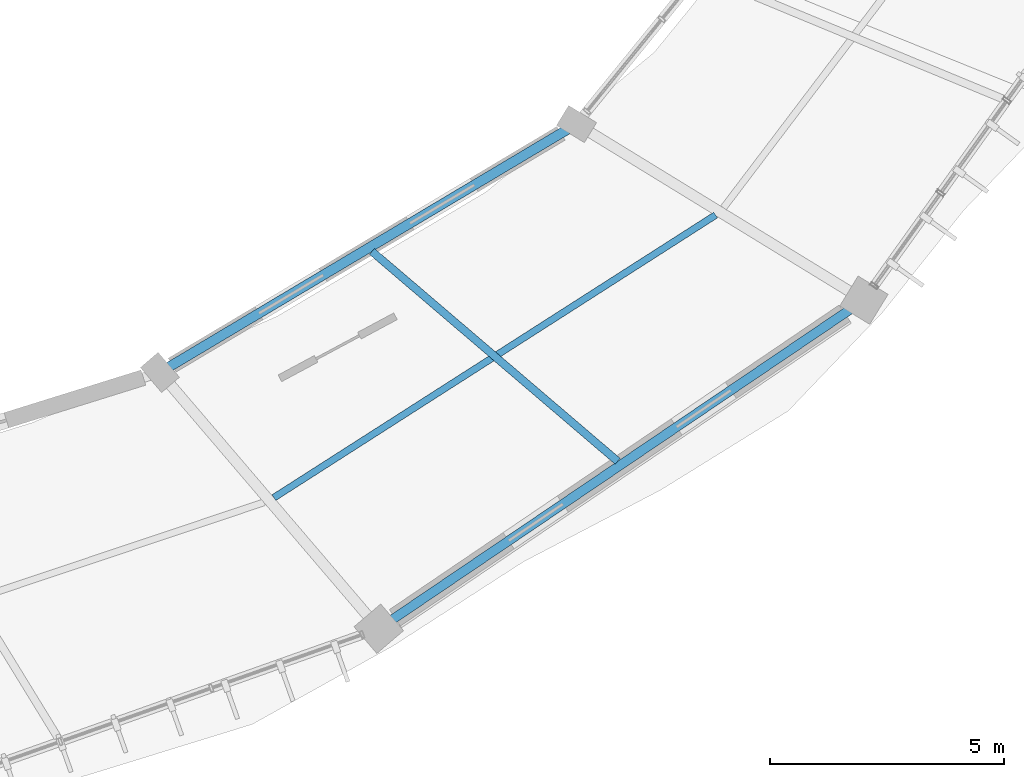
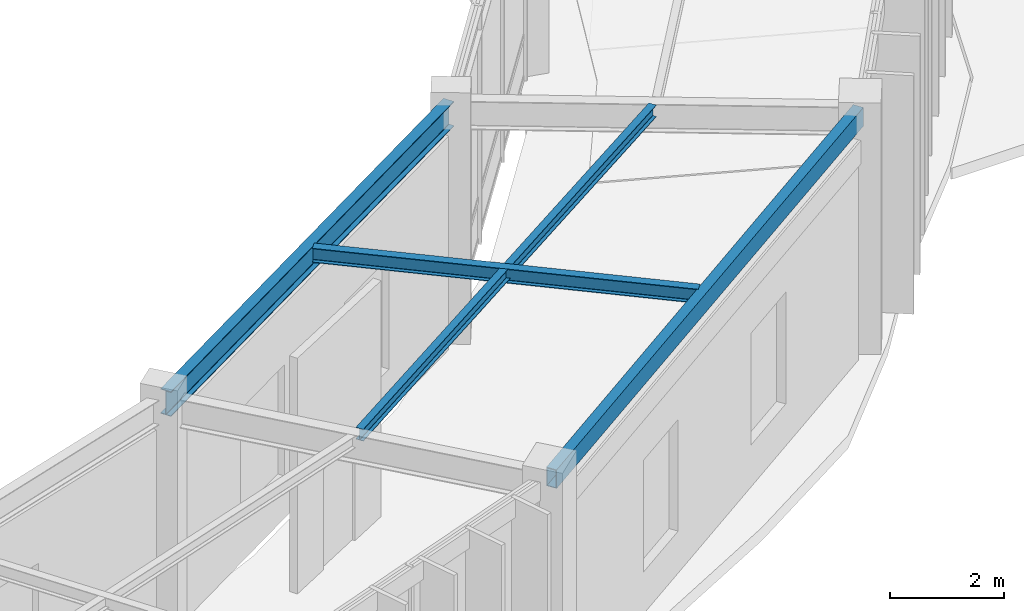
# One storey, part 65 of 157: 4 beams.
"""IFC4 building model written with IfcOpenShell, lengths in metres."""

import ifcopenshell
import ifcopenshell.guid

model = None  # the IFC model being written
_history = None  # IfcOwnerHistory: only IFC2X3 demands one
_inside = {}  # id of a spatial element -> (the spatial element, [elements in it])
_under = {}  # id of a project, library or spatial element -> (it, [spatial elements below it])
_declared = {}  # id of a project -> (the project, [libraries it declares])
_typed = {}  # id of a type object -> (the type object, [elements of that type])
_made_of = {}  # id of a material, layer set ... -> (it, [elements and type objects made of it])


def new_model(schema):
    """Start an empty IFC model of exactly this schema.

    Asked for "IFC4X3", IfcOpenShell would pick the latest addendum, in which some entities
    have other attributes; the version numbers below select the first issue.
    IFC2X3 requires an IfcOwnerHistory on every rooted entity: one is made here for all.
    """
    global model, _history
    if schema == "IFC4X3":
        model = ifcopenshell.file(schema_version=(4, 3, 0, 0))
    else:
        model = ifcopenshell.file(schema=schema)
    _inside.clear()
    _under.clear()
    _declared.clear()
    _typed.clear()
    _made_of.clear()
    _history = None
    if model.schema == "IFC2X3":
        org = make("IfcOrganization", Name="unknown")
        user = make(
            "IfcPersonAndOrganization",
            ThePerson=make("IfcPerson", FamilyName="unknown"),
            TheOrganization=org,
        )
        app = make(
            "IfcApplication",
            ApplicationDeveloper=org,
            Version="unknown",
            ApplicationFullName="unknown",
            ApplicationIdentifier="unknown",
        )
        _history = make(
            "IfcOwnerHistory",
            OwningUser=user,
            OwningApplication=app,
            ChangeAction="ADDED",
            CreationDate=0,
        )
    return model


def make(cls, **values):
    """One entity of the class cls with the attributes given. An attribute that is None is left unset."""
    return model.create_entity(
        cls, **{name: value for name, value in values.items() if value is not None}
    )


def rooted(cls, **values):
    """An entity with a GlobalId (a new one), such as an element, a storey or a relation."""
    return make(cls, GlobalId=ifcopenshell.guid.new(), OwnerHistory=_history, **values)


def si_unit(unit_type, name, prefix=None):
    """IfcSIUnit, for example si_unit("LENGTHUNIT", "METRE", prefix="MILLI")."""
    return make("IfcSIUnit", UnitType=unit_type, Prefix=prefix, Name=name)


def assignment(units):
    """IfcUnitAssignment: the units of a project."""
    return None if units is None else make("IfcUnitAssignment", Units=units)


def point(xyz):
    """IfcCartesianPoint."""
    return None if xyz is None else make("IfcCartesianPoint", Coordinates=xyz)


def direction(xyz):
    """IfcDirection."""
    return None if xyz is None else make("IfcDirection", DirectionRatios=xyz)


def frame(location, z_axis=None, x_axis=None):
    """IfcAxis2Placement3D, a coordinate frame: its origin and axes. An axis left out is left unset."""
    return make(
        "IfcAxis2Placement3D",
        Location=point(location),
        Axis=direction(z_axis),
        RefDirection=direction(x_axis),
    )


def frame_2d(location, x_axis=None):
    """IfcAxis2Placement2D, a coordinate frame in the plane: its origin and x axis."""
    return make(
        "IfcAxis2Placement2D", Location=point(location), RefDirection=direction(x_axis)
    )


def origin():
    """The frame at (0, 0, 0) with its axes left unset."""
    return frame((0.0, 0.0, 0.0))


def origin_2d():
    """The frame at (0, 0) in the plane with its x axis left unset."""
    return frame_2d((0.0, 0.0))


def place(relative_to, where):
    """IfcLocalPlacement: puts the frame where relative to a parent placement (None: the world)."""
    return make(
        "IfcLocalPlacement", PlacementRelTo=relative_to, RelativePlacement=where
    )


def context(
    kind, dimensions, precision=None, world=None, true_north=None, identifier=None
):
    """IfcGeometricRepresentationContext, for example the 3D "Model" context."""
    return make(
        "IfcGeometricRepresentationContext",
        ContextIdentifier=identifier,
        ContextType=kind,
        CoordinateSpaceDimension=dimensions,
        Precision=precision,
        WorldCoordinateSystem=world,
        TrueNorth=true_north,
    )


def subcontext(parent, identifier, kind, view, scale=None):
    """IfcGeometricRepresentationSubContext, for example "Body" below "Model"."""
    return make(
        "IfcGeometricRepresentationSubContext",
        ContextIdentifier=identifier,
        ContextType=kind,
        ParentContext=parent,
        TargetScale=scale,
        TargetView=view,
    )


def project(units=None, contexts=None):
    """IfcProject with its units and contexts."""
    return rooted(
        "IfcProject",
        Name="project",
        RepresentationContexts=contexts,
        UnitsInContext=assignment(units),
    )


def spatial(cls, under=None, at=None, **own):
    """A site, building, storey or space (cls), placed at a placement, below another one or the project."""
    s = rooted(cls, ObjectPlacement=at, **own)
    if under is not None:
        _under.setdefault(under.id(), (under, []))[1].append(s)
    return s


def profile(cls, at=None, kind="AREA", **sizes):
    """A parametric profile (cls). Its sizes go by their IFC names, for example OverallWidth=200.0."""
    return make(cls, ProfileType=kind, Position=at, **sizes)


def hollow_rectangle(**sizes):
    """IfcRectangleHollowProfileDef."""
    return profile("IfcRectangleHollowProfileDef", **sizes)


def i_section(**sizes):
    """IfcIShapeProfileDef."""
    return profile("IfcIShapeProfileDef", **sizes)


def extrude(swept, where, along, depth):
    """IfcExtrudedAreaSolid: the profile swept, set in the frame where, extruded along a direction by depth."""
    return make(
        "IfcExtrudedAreaSolid",
        SweptArea=swept,
        Position=where,
        ExtrudedDirection=direction(along),
        Depth=depth,
    )


def shape(context_of_items, identifier, shape_type, items):
    """IfcShapeRepresentation: the items that make up one representation, for example the "Body"."""
    return make(
        "IfcShapeRepresentation",
        ContextOfItems=context_of_items,
        RepresentationIdentifier=identifier,
        RepresentationType=shape_type,
        Items=items,
    )


def material(Name=None, Category=None):
    """IfcMaterial."""
    return make("IfcMaterial", Name=Name, Category=Category)


def material_profile(
    of_material, cross_section, Name=None, Category=None, Priority=None
):
    """IfcMaterialProfile: a cross section and its material."""
    return make(
        "IfcMaterialProfile",
        Name=Name,
        Material=of_material,
        Profile=cross_section,
        Priority=Priority,
        Category=Category,
    )


def profile_set(profiles, Name=None, composite=None):
    """IfcMaterialProfileSet."""
    return make(
        "IfcMaterialProfileSet",
        Name=Name,
        MaterialProfiles=profiles,
        CompositeProfile=composite,
    )


def made_of(thing, what):
    """Note that an element or type object is made of a material, layer set ...; save() writes the relation."""
    if what is not None:
        _made_of.setdefault(what.id(), (what, []))[1].append(thing)
    return thing


def type_object(cls, material=None, **own):
    """A type object (cls), such as IfcWallType, which elements share."""
    return made_of(rooted(cls, **own), material)


def element(
    cls,
    number,
    at=None,
    inside=None,
    cuts=None,
    type_object=None,
    material=None,
    context=None,
    identifier="Body",
    shape_type=None,
    held_by="IfcProductDefinitionShape",
    body=None,
    shapes=None,
    **own,
):
    """One element of the class cls, such as IfcWall. Its Tag is "e" and its number.

    at: its placement. inside: the storey or other place that contains it. cuts: it is an
    opening in that element (IfcRelVoidsElement). A single representation is given by context,
    identifier, shape_type and body (its items); several are given by shapes. held_by: the class
    of the entity that holds the representations. save() writes the other relations.
    """
    e = rooted(cls, Tag="e%d" % number, ObjectPlacement=at, **own)
    if body is not None:
        shapes = [shape(context, identifier, shape_type, body)]
    if shapes is not None:
        e.Representation = make(held_by, Representations=shapes)
    if inside is not None:
        _inside.setdefault(inside.id(), (inside, []))[1].append(e)
    if cuts is not None:
        rooted(
            "IfcRelVoidsElement", RelatingBuildingElement=cuts, RelatedOpeningElement=e
        )
    if type_object is not None:
        _typed.setdefault(type_object.id(), (type_object, []))[1].append(e)
    return made_of(e, material)


def aggregate(whole, parts):
    """IfcRelAggregates: a whole, such as a stair, and the parts it consists of."""
    return rooted("IfcRelAggregates", RelatingObject=whole, RelatedObjects=parts)


def save(model, path):
    """Write the relations noted so far, then the file.

    IfcRelAggregates (storeys below a building ...), IfcRelContainedInSpatialStructure (elements
    in a storey), IfcRelDefinesByType, IfcRelAssociatesMaterial and IfcRelDeclares: one each for
    every whole, place, type object, material and project.
    """
    for whole, parts in _under.values():
        aggregate(whole, parts)
    for where, things in _inside.values():
        rooted(
            "IfcRelContainedInSpatialStructure",
            RelatedElements=things,
            RelatingStructure=where,
        )
    for kind, things in _typed.values():
        rooted("IfcRelDefinesByType", RelatedObjects=things, RelatingType=kind)
    for what, things in _made_of.values():
        rooted("IfcRelAssociatesMaterial", RelatedObjects=things, RelatingMaterial=what)
    for by, libraries in _declared.values():
        rooted("IfcRelDeclares", RelatingContext=by, RelatedDefinitions=libraries)
    model.write(path)


model = new_model("IFC4")

# Units and contexts
model_context = context("Model", 3, precision=1e-05, world=origin(), true_north=direction((0.0, 1.0)))
body_context = subcontext(model_context, "Body", "Model", "MODEL_VIEW")
ifc_project = project(units=[si_unit("LENGTHUNIT", "METRE"), si_unit("AREAUNIT", "SQUARE_METRE"), si_unit("VOLUMEUNIT", "CUBIC_METRE"), si_unit("PLANEANGLEUNIT", "RADIAN"), si_unit("MASSUNIT", "GRAM", prefix="KILO"), si_unit("THERMODYNAMICTEMPERATUREUNIT", "KELVIN"), si_unit("POWERUNIT", "WATT")], contexts=[model_context])

# Site, building, storey
site_placement = place(None, origin())
site = spatial("IfcSite", under=ifc_project, at=site_placement, CompositionType="ELEMENT")
building_placement = place(site_placement, origin())
building = spatial("IfcBuilding", under=site, at=building_placement, Name="Darbajah Civic Hall", CompositionType="ELEMENT")
storey_placement = place(building_placement, origin())
storey = spatial("IfcBuildingStorey", under=building, at=storey_placement, Name="L00", CompositionType="ELEMENT", Elevation=0.0)

# Beams
ifc_material = material(Name="Steel S355JR", Category="steel")
ifc_material_profile_1 = material_profile(ifc_material, hollow_rectangle(XDim=0.199951171875, YDim=0.39990234375, WallThickness=0.013916015625, at=origin_2d()), Name="RHS 400x200x14")
ifc_profile_set_1 = profile_set([ifc_material_profile_1], Name="Steel S355JR")
beam_type_1 = type_object("IfcBeamType", Name="RHS 400x200x14", PredefinedType="SPANDREL", material=ifc_profile_set_1)
beam_1_placement = place(storey_placement, frame((122.2880859375, 67.412841796875, 4.919921875), z_axis=(0.827982022698, 0.560754643394, 0.0), x_axis=(-0.560754643394, 0.827982022698, 0.0)))
element("IfcBeam", 1, at=beam_1_placement, inside=storey, type_object=beam_type_1, Name="L00 beam SP-RHS400", PredefinedType="SPANDREL", context=body_context, shape_type="SweptSolid", body=[
    extrude(hollow_rectangle(XDim=0.199951171875, YDim=0.39990234375, WallThickness=0.013916015625, at=origin_2d()), origin(), (0.0, 0.0, 1.0), 12.355712890625),
])
ifc_material_profile_2 = material_profile(ifc_material, i_section(OverallWidth=0.146484375, OverallDepth=0.256103515625, WebThickness=0.00634765625, FlangeThickness=0.010986328125, FilletRadius=0.007568359375, at=origin_2d()), Name="UB 254x146x37")
ifc_profile_set_2 = profile_set([ifc_material_profile_2], Name="Steel S355JR")
beam_type_2 = type_object("IfcBeamType", Name="UB 254x146x37", PredefinedType="JOIST", material=ifc_profile_set_2)
beam_2_placement = place(storey_placement, frame((119.981689453125, 70.16796875, 4.991943359375), z_axis=(0.842354117653, 0.538924429279, 0.0), x_axis=(-0.538924429279, 0.842354117653, 0.0)))
element("IfcBeam", 2, at=beam_2_placement, inside=storey, type_object=beam_type_2, Name="L00 beam SJ-254", PredefinedType="JOIST", context=body_context, shape_type="SweptSolid", body=[
    extrude(i_section(OverallWidth=0.146484375, OverallDepth=0.256103515625, WebThickness=0.00634765625, FlangeThickness=0.010986328125, FilletRadius=0.007568359375, at=origin_2d()), origin(), (0.0, 0.0, 1.0), 11.20166015625),
])
ifc_material_profile_3 = material_profile(ifc_material, i_section(OverallWidth=0.165771484375, OverallDepth=0.306640625, WebThickness=0.006591796875, FlangeThickness=0.01171875, FilletRadius=0.0087890625, at=origin_2d()), Name="UB 305x165x46")
ifc_profile_set_3 = profile_set([ifc_material_profile_3], Name="Steel S355JR")
beam_type_3 = type_object("IfcBeamType", Name="UB 305x165x46", PredefinedType="JOIST", material=ifc_profile_set_3)
beam_3_placement = place(storey_placement, frame((122.076416015625, 75.4267578125, 4.966796875), z_axis=(0.760398784195, -0.649456456581, 0.0), x_axis=(0.649456456581, 0.760398784195, 0.0)))
element("IfcBeam", 3, at=beam_3_placement, inside=storey, type_object=beam_type_3, Name="L00 beam SJ-305", PredefinedType="JOIST", context=body_context, shape_type="SweptSolid", body=[
    extrude(i_section(OverallWidth=0.165771484375, OverallDepth=0.306640625, WebThickness=0.006591796875, FlangeThickness=0.01171875, FilletRadius=0.0087890625, at=origin_2d()), origin(), (0.0, 0.0, 1.0), 6.9033203125),
])
ifc_material_profile_4 = material_profile(ifc_material, i_section(OverallWidth=0.209228515625, OverallDepth=0.533203125, WebThickness=0.010009765625, FlangeThickness=0.015625, FilletRadius=0.0126953125, at=origin_2d()), Name="UB 533x210x92")
ifc_profile_set_4 = profile_set([ifc_material_profile_4], Name="Steel S355JR")
beam_type_4 = type_object("IfcBeamType", Name="UB 533x210x92", PredefinedType="BEAM", material=ifc_profile_set_4)
beam_4_placement = place(storey_placement, frame((117.614501953125, 72.8837890625, 4.853515625), z_axis=(0.858952844576, 0.51205469512, 0.0), x_axis=(-0.51205469512, 0.858952844576, 0.0)))
element("IfcBeam", 4, at=beam_4_placement, inside=storey, type_object=beam_type_4, Name="L00 beam SB-533", PredefinedType="BEAM", context=body_context, shape_type="SweptSolid", body=[
    extrude(i_section(OverallWidth=0.209228515625, OverallDepth=0.533203125, WebThickness=0.010009765625, FlangeThickness=0.015625, FilletRadius=0.0126953125, at=origin_2d()), origin(), (0.0, 0.0, 1.0), 10.201416015625),
])

save(model, "model.ifc")
